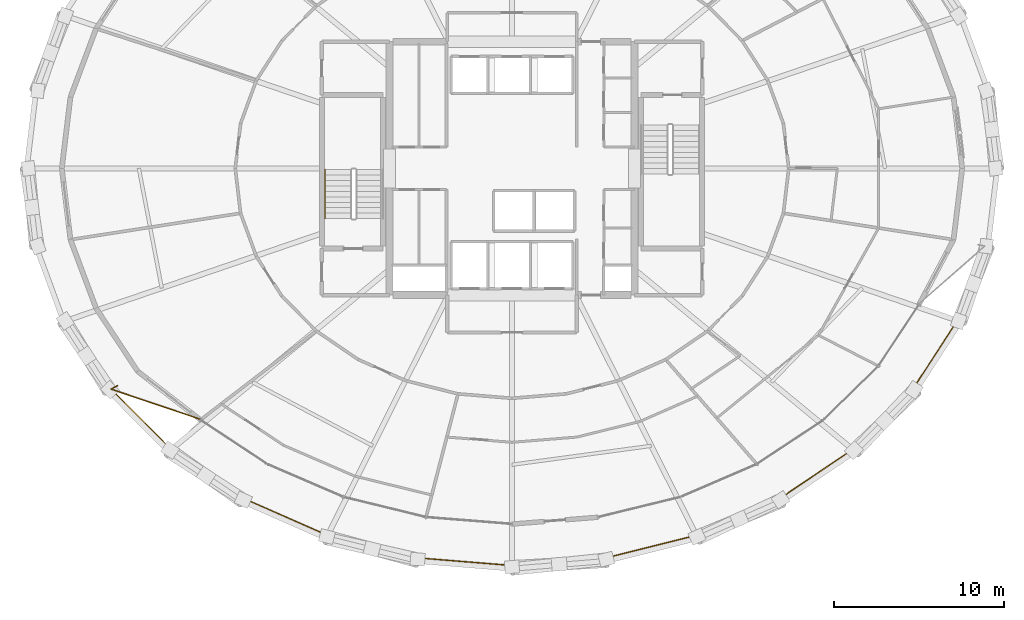
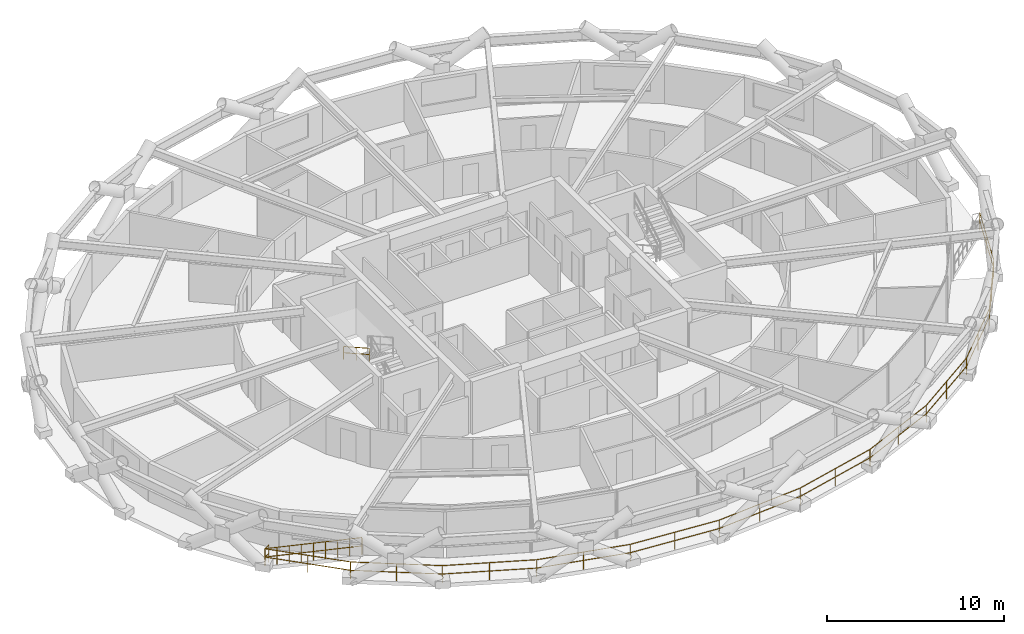
# One storey, part 18 of 19: 3 railings.
"""IFC4 building model written with IfcOpenShell, lengths in metres."""

import ifcopenshell
import ifcopenshell.guid

model = None  # the IFC model being written
_history = None  # IfcOwnerHistory: only IFC2X3 demands one
_inside = {}  # id of a spatial element -> (the spatial element, [elements in it])
_under = {}  # id of a project, library or spatial element -> (it, [spatial elements below it])
_declared = {}  # id of a project -> (the project, [libraries it declares])
_typed = {}  # id of a type object -> (the type object, [elements of that type])
_made_of = {}  # id of a material, layer set ... -> (it, [elements and type objects made of it])


def new_model(schema):
    """Start an empty IFC model of exactly this schema.

    Asked for "IFC4X3", IfcOpenShell would pick the latest addendum, in which some entities
    have other attributes; the version numbers below select the first issue.
    IFC2X3 requires an IfcOwnerHistory on every rooted entity: one is made here for all.
    """
    global model, _history
    if schema == "IFC4X3":
        model = ifcopenshell.file(schema_version=(4, 3, 0, 0))
    else:
        model = ifcopenshell.file(schema=schema)
    _inside.clear()
    _under.clear()
    _declared.clear()
    _typed.clear()
    _made_of.clear()
    _history = None
    if model.schema == "IFC2X3":
        org = make("IfcOrganization", Name="unknown")
        user = make(
            "IfcPersonAndOrganization",
            ThePerson=make("IfcPerson", FamilyName="unknown"),
            TheOrganization=org,
        )
        app = make(
            "IfcApplication",
            ApplicationDeveloper=org,
            Version="unknown",
            ApplicationFullName="unknown",
            ApplicationIdentifier="unknown",
        )
        _history = make(
            "IfcOwnerHistory",
            OwningUser=user,
            OwningApplication=app,
            ChangeAction="ADDED",
            CreationDate=0,
        )
    return model


def make(cls, **values):
    """One entity of the class cls with the attributes given. An attribute that is None is left unset."""
    return model.create_entity(
        cls, **{name: value for name, value in values.items() if value is not None}
    )


def rooted(cls, **values):
    """An entity with a GlobalId (a new one), such as an element, a storey or a relation."""
    return make(cls, GlobalId=ifcopenshell.guid.new(), OwnerHistory=_history, **values)


def si_unit(unit_type, name, prefix=None):
    """IfcSIUnit, for example si_unit("LENGTHUNIT", "METRE", prefix="MILLI")."""
    return make("IfcSIUnit", UnitType=unit_type, Prefix=prefix, Name=name)


def assignment(units):
    """IfcUnitAssignment: the units of a project."""
    return None if units is None else make("IfcUnitAssignment", Units=units)


def point(xyz):
    """IfcCartesianPoint."""
    return None if xyz is None else make("IfcCartesianPoint", Coordinates=xyz)


def direction(xyz):
    """IfcDirection."""
    return None if xyz is None else make("IfcDirection", DirectionRatios=xyz)


def frame(location, z_axis=None, x_axis=None):
    """IfcAxis2Placement3D, a coordinate frame: its origin and axes. An axis left out is left unset."""
    return make(
        "IfcAxis2Placement3D",
        Location=point(location),
        Axis=direction(z_axis),
        RefDirection=direction(x_axis),
    )


def frame_2d(location, x_axis=None):
    """IfcAxis2Placement2D, a coordinate frame in the plane: its origin and x axis."""
    return make(
        "IfcAxis2Placement2D", Location=point(location), RefDirection=direction(x_axis)
    )


def origin():
    """The frame at (0, 0, 0) with its axes left unset."""
    return frame((0.0, 0.0, 0.0))


def origin_2d():
    """The frame at (0, 0) in the plane with its x axis left unset."""
    return frame_2d((0.0, 0.0))


def place(relative_to, where):
    """IfcLocalPlacement: puts the frame where relative to a parent placement (None: the world)."""
    return make(
        "IfcLocalPlacement", PlacementRelTo=relative_to, RelativePlacement=where
    )


def context(
    kind, dimensions, precision=None, world=None, true_north=None, identifier=None
):
    """IfcGeometricRepresentationContext, for example the 3D "Model" context."""
    return make(
        "IfcGeometricRepresentationContext",
        ContextIdentifier=identifier,
        ContextType=kind,
        CoordinateSpaceDimension=dimensions,
        Precision=precision,
        WorldCoordinateSystem=world,
        TrueNorth=true_north,
    )


def subcontext(parent, identifier, kind, view, scale=None):
    """IfcGeometricRepresentationSubContext, for example "Body" below "Model"."""
    return make(
        "IfcGeometricRepresentationSubContext",
        ContextIdentifier=identifier,
        ContextType=kind,
        ParentContext=parent,
        TargetScale=scale,
        TargetView=view,
    )


def project(units=None, contexts=None):
    """IfcProject with its units and contexts."""
    return rooted(
        "IfcProject",
        Name="project",
        RepresentationContexts=contexts,
        UnitsInContext=assignment(units),
    )


def spatial(cls, under=None, at=None, **own):
    """A site, building, storey or space (cls), placed at a placement, below another one or the project."""
    s = rooted(cls, ObjectPlacement=at, **own)
    if under is not None:
        _under.setdefault(under.id(), (under, []))[1].append(s)
    return s


def profile(cls, at=None, kind="AREA", **sizes):
    """A parametric profile (cls). Its sizes go by their IFC names, for example OverallWidth=200.0."""
    return make(cls, ProfileType=kind, Position=at, **sizes)


def circle(**sizes):
    """IfcCircleProfileDef."""
    return profile("IfcCircleProfileDef", **sizes)


def extrude(swept, where, along, depth):
    """IfcExtrudedAreaSolid: the profile swept, set in the frame where, extruded along a direction by depth."""
    return make(
        "IfcExtrudedAreaSolid",
        SweptArea=swept,
        Position=where,
        ExtrudedDirection=direction(along),
        Depth=depth,
    )


def shape(context_of_items, identifier, shape_type, items):
    """IfcShapeRepresentation: the items that make up one representation, for example the "Body"."""
    return make(
        "IfcShapeRepresentation",
        ContextOfItems=context_of_items,
        RepresentationIdentifier=identifier,
        RepresentationType=shape_type,
        Items=items,
    )


def material(Name=None, Category=None):
    """IfcMaterial."""
    return make("IfcMaterial", Name=Name, Category=Category)


def made_of(thing, what):
    """Note that an element or type object is made of a material, layer set ...; save() writes the relation."""
    if what is not None:
        _made_of.setdefault(what.id(), (what, []))[1].append(thing)
    return thing


def type_object(cls, material=None, **own):
    """A type object (cls), such as IfcWallType, which elements share."""
    return made_of(rooted(cls, **own), material)


def element(
    cls,
    number,
    at=None,
    inside=None,
    cuts=None,
    type_object=None,
    material=None,
    context=None,
    identifier="Body",
    shape_type=None,
    held_by="IfcProductDefinitionShape",
    body=None,
    shapes=None,
    **own,
):
    """One element of the class cls, such as IfcWall. Its Tag is "e" and its number.

    at: its placement. inside: the storey or other place that contains it. cuts: it is an
    opening in that element (IfcRelVoidsElement). A single representation is given by context,
    identifier, shape_type and body (its items); several are given by shapes. held_by: the class
    of the entity that holds the representations. save() writes the other relations.
    """
    e = rooted(cls, Tag="e%d" % number, ObjectPlacement=at, **own)
    if body is not None:
        shapes = [shape(context, identifier, shape_type, body)]
    if shapes is not None:
        e.Representation = make(held_by, Representations=shapes)
    if inside is not None:
        _inside.setdefault(inside.id(), (inside, []))[1].append(e)
    if cuts is not None:
        rooted(
            "IfcRelVoidsElement", RelatingBuildingElement=cuts, RelatedOpeningElement=e
        )
    if type_object is not None:
        _typed.setdefault(type_object.id(), (type_object, []))[1].append(e)
    return made_of(e, material)


def aggregate(whole, parts):
    """IfcRelAggregates: a whole, such as a stair, and the parts it consists of."""
    return rooted("IfcRelAggregates", RelatingObject=whole, RelatedObjects=parts)


def save(model, path):
    """Write the relations noted so far, then the file.

    IfcRelAggregates (storeys below a building ...), IfcRelContainedInSpatialStructure (elements
    in a storey), IfcRelDefinesByType, IfcRelAssociatesMaterial and IfcRelDeclares: one each for
    every whole, place, type object, material and project.
    """
    for whole, parts in _under.values():
        aggregate(whole, parts)
    for where, things in _inside.values():
        rooted(
            "IfcRelContainedInSpatialStructure",
            RelatedElements=things,
            RelatingStructure=where,
        )
    for kind, things in _typed.values():
        rooted("IfcRelDefinesByType", RelatedObjects=things, RelatingType=kind)
    for what, things in _made_of.values():
        rooted("IfcRelAssociatesMaterial", RelatedObjects=things, RelatingMaterial=what)
    for by, libraries in _declared.values():
        rooted("IfcRelDeclares", RelatingContext=by, RelatedDefinitions=libraries)
    model.write(path)


model = new_model("IFC4")

# Units and contexts
model_context = context("Model", 3, precision=1e-05, world=origin(), true_north=direction((0.0, 1.0)))
body_context = subcontext(model_context, "Body", "Model", "MODEL_VIEW")
ifc_project = project(units=[si_unit("LENGTHUNIT", "METRE"), si_unit("AREAUNIT", "SQUARE_METRE"), si_unit("VOLUMEUNIT", "CUBIC_METRE"), si_unit("PLANEANGLEUNIT", "RADIAN"), si_unit("MASSUNIT", "GRAM", prefix="KILO")], contexts=[model_context])

# Site, building, storey
site_placement = place(None, origin())
site = spatial("IfcSite", under=ifc_project, at=site_placement, CompositionType="ELEMENT")
building_placement = place(site_placement, origin())
building = spatial("IfcBuilding", under=site, at=building_placement, Name="Veldorina Hangang Commons", CompositionType="ELEMENT")
storey_placement = place(building_placement, frame((0.0, 0.0, 52.0)))
storey = spatial("IfcBuildingStorey", under=building, at=storey_placement, Name="L12", CompositionType="ELEMENT", Elevation=52.0)

# Railings
ifc_material_1 = material(Name="Glass Laminated Safety Balustrade", Category="glass")
railing_type_1 = type_object("IfcRailingType", Name="RL-BAL-LOGGIA", PredefinedType="BALUSTRADE", material=ifc_material_1)
railing_1_placement = place(storey_placement, frame((8.794921875, 11.22119140625, 0.0)))
element("IfcRailing", 1, at=railing_1_placement, inside=storey, type_object=railing_type_1, Name="L12 sky-garden loggia end balustrade A", PredefinedType="BALUSTRADE", context=body_context, shape_type="SweptSolid", body=[
    extrude(circle(Radius=0.02392578125, at=origin_2d()), frame((0.0, 0.0, 1.17578125), z_axis=(-0.876179080009, -0.481985704928, 0.0), x_axis=(0.481985704928, -0.876179080009, 0.0)), (0.0, 0.0, 1.0), 0.419921875),
    extrude(circle(Radius=0.02392578125, at=origin_2d()), frame((0.0, 0.0, 0.60009765625), z_axis=(-0.876179080009, -0.481985704928, 0.0), x_axis=(0.481985704928, -0.876179080009, 0.0)), (0.0, 0.0, 1.0), 0.419921875),
    extrude(circle(Radius=0.02392578125, at=origin_2d()), frame((-0.367919921875, -0.202392578125, 1.17578125), z_axis=(0.947427211821, -0.319971371066, 0.0), x_axis=(0.319971371066, 0.947427211821, 0.0)), (0.0, 0.0, 1.0), 5.572265625),
    extrude(circle(Radius=0.02392578125, at=origin_2d()), frame((-0.367919921875, -0.202392578125, 0.60009765625), z_axis=(0.947427211821, -0.319971371066, 0.0), x_axis=(0.319971371066, 0.947427211821, 0.0)), (0.0, 0.0, 1.0), 5.572265625),
    extrude(circle(Radius=0.02099609375, at=origin_2d()), origin(), (0.0, 0.0, 1.0), 1.15185546875),
    extrude(circle(Radius=0.02099609375, at=origin_2d()), frame((-0.367919921875, -0.202392578125, 0.0)), (0.0, 0.0, 1.0), 1.15185546875),
    extrude(circle(Radius=0.02099609375, at=origin_2d()), frame((0.2919921875, -0.42529296875, 0.0)), (0.0, 0.0, 1.0), 1.15185546875),
    extrude(circle(Radius=0.02099609375, at=origin_2d()), frame((0.951904296875, -0.648193359375, 0.0)), (0.0, 0.0, 1.0), 1.15185546875),
    extrude(circle(Radius=0.02099609375, at=origin_2d()), frame((1.61181640625, -0.87109375, 0.0)), (0.0, 0.0, 1.0), 1.15185546875),
    extrude(circle(Radius=0.02099609375, at=origin_2d()), frame((2.271728515625, -1.09375, 0.0)), (0.0, 0.0, 1.0), 1.15185546875),
    extrude(circle(Radius=0.02099609375, at=origin_2d()), frame((2.931640625, -1.316650390625, 0.0)), (0.0, 0.0, 1.0), 1.15185546875),
    extrude(circle(Radius=0.02099609375, at=origin_2d()), frame((3.591552734375, -1.53955078125, 0.0)), (0.0, 0.0, 1.0), 1.15185546875),
    extrude(circle(Radius=0.02099609375, at=origin_2d()), frame((4.25146484375, -1.762451171875, 0.0)), (0.0, 0.0, 1.0), 1.15185546875),
    extrude(circle(Radius=0.02099609375, at=origin_2d()), frame((4.911376953125, -1.9853515625, 0.0)), (0.0, 0.0, 1.0), 1.15185546875),
])
railing_2_placement = place(storey_placement, frame((8.427001953125, 11.018798828125, 0.0)))
element("IfcRailing", 2, at=railing_2_placement, inside=storey, type_object=railing_type_1, Name="L12 sky-garden loggia outer balustrade", PredefinedType="BALUSTRADE", context=body_context, shape_type="SweptSolid", body=[
    extrude(circle(Radius=0.02392578125, at=origin_2d()), frame((0.0, 0.0, 1.17578125), z_axis=(0.70600668447, -0.70820516906, 0.0), x_axis=(0.70820516906, 0.70600668447, 0.0)), (0.0, 0.0, 1.0), 4.997314453125),
    extrude(circle(Radius=0.02392578125, at=origin_2d()), frame((0.0, 0.0, 0.60009765625), z_axis=(0.70600668447, -0.70820516906, 0.0), x_axis=(0.70820516906, 0.70600668447, 0.0)), (0.0, 0.0, 1.0), 4.997314453125),
    extrude(circle(Radius=0.02392578125, at=origin_2d()), frame((3.528076171875, -3.5390625, 1.17578125), z_axis=(0.828630869612, -0.559795392912, 0.0), x_axis=(0.559795392912, 0.828630869612, 0.0)), (0.0, 0.0, 1.0), 5.186279296875),
    extrude(circle(Radius=0.02392578125, at=origin_2d()), frame((3.528076171875, -3.5390625, 0.60009765625), z_axis=(0.828630869612, -0.559795392912, 0.0), x_axis=(0.559795392912, 0.828630869612, 0.0)), (0.0, 0.0, 1.0), 5.186279296875),
    extrude(circle(Radius=0.02392578125, at=origin_2d()), frame((7.82568359375, -6.4423828125, 1.17578125), z_axis=(0.91534662607, -0.402666802881, 0.0), x_axis=(0.402666802881, 0.91534662607, 0.0)), (0.0, 0.0, 1.0), 5.35498046875),
    extrude(circle(Radius=0.02392578125, at=origin_2d()), frame((7.82568359375, -6.4423828125, 0.60009765625), z_axis=(0.91534662607, -0.402666802881, 0.0), x_axis=(0.402666802881, 0.91534662607, 0.0)), (0.0, 0.0, 1.0), 5.35498046875),
    extrude(circle(Radius=0.02392578125, at=origin_2d()), frame((12.727294921875, -8.5986328125, 1.17578125), z_axis=(0.970234149445, -0.242168733017, 0.0), x_axis=(0.242168733017, 0.970234149445, 0.0)), (0.0, 0.0, 1.0), 5.480224609375),
    extrude(circle(Radius=0.02392578125, at=origin_2d()), frame((12.727294921875, -8.5986328125, 0.60009765625), z_axis=(0.970234149445, -0.242168733017, 0.0), x_axis=(0.242168733017, 0.970234149445, 0.0)), (0.0, 0.0, 1.0), 5.480224609375),
    extrude(circle(Radius=0.02392578125, at=origin_2d()), frame((18.04443359375, -9.92578125, 1.17578125), z_axis=(0.996729335582, -0.080812323256, 0.0), x_axis=(0.080812323256, 0.996729335582, 0.0)), (0.0, 0.0, 1.0), 5.546630859375),
    extrude(circle(Radius=0.02392578125, at=origin_2d()), frame((18.04443359375, -9.92578125, 0.60009765625), z_axis=(0.996729335582, -0.080812323256, 0.0), x_axis=(0.080812323256, 0.996729335582, 0.0)), (0.0, 0.0, 1.0), 5.546630859375),
    extrude(circle(Radius=0.02392578125, at=origin_2d()), frame((23.572998046875, -10.3740234375, 1.17578125), z_axis=(0.996729335582, 0.080812323256, 0.0), x_axis=(-0.080812323256, 0.996729335582, 0.0)), (0.0, 0.0, 1.0), 5.546630859375),
    extrude(circle(Radius=0.02392578125, at=origin_2d()), frame((23.572998046875, -10.3740234375, 0.60009765625), z_axis=(0.996729335582, 0.080812323256, 0.0), x_axis=(-0.080812323256, 0.996729335582, 0.0)), (0.0, 0.0, 1.0), 5.546630859375),
    extrude(circle(Radius=0.02392578125, at=origin_2d()), frame((29.1015625, -9.92578125, 1.17578125), z_axis=(0.970234149445, 0.242168733017, 0.0), x_axis=(-0.242168733017, 0.970234149445, 0.0)), (0.0, 0.0, 1.0), 5.480224609375),
    extrude(circle(Radius=0.02392578125, at=origin_2d()), frame((29.1015625, -9.92578125, 0.60009765625), z_axis=(0.970234149445, 0.242168733017, 0.0), x_axis=(-0.242168733017, 0.970234149445, 0.0)), (0.0, 0.0, 1.0), 5.480224609375),
    extrude(circle(Radius=0.02392578125, at=origin_2d()), frame((34.418701171875, -8.5986328125, 1.17578125), z_axis=(0.91534662607, 0.402666802881, 0.0), x_axis=(-0.402666802881, 0.91534662607, 0.0)), (0.0, 0.0, 1.0), 5.35498046875),
    extrude(circle(Radius=0.02392578125, at=origin_2d()), frame((34.418701171875, -8.5986328125, 0.60009765625), z_axis=(0.91534662607, 0.402666802881, 0.0), x_axis=(-0.402666802881, 0.91534662607, 0.0)), (0.0, 0.0, 1.0), 5.35498046875),
    extrude(circle(Radius=0.02392578125, at=origin_2d()), frame((39.3203125, -6.4423828125, 1.17578125), z_axis=(0.828630869612, 0.559795392912, 0.0), x_axis=(-0.559795392912, 0.828630869612, 0.0)), (0.0, 0.0, 1.0), 5.186279296875),
    extrude(circle(Radius=0.02392578125, at=origin_2d()), frame((39.3203125, -6.4423828125, 0.60009765625), z_axis=(0.828630869612, 0.559795392912, 0.0), x_axis=(-0.559795392912, 0.828630869612, 0.0)), (0.0, 0.0, 1.0), 5.186279296875),
    extrude(circle(Radius=0.02392578125, at=origin_2d()), frame((43.617919921875, -3.5390625, 1.17578125), z_axis=(0.70600668447, 0.70820516906, 0.0), x_axis=(-0.70820516906, 0.70600668447, 0.0)), (0.0, 0.0, 1.0), 4.997314453125),
    extrude(circle(Radius=0.02392578125, at=origin_2d()), frame((43.617919921875, -3.5390625, 0.60009765625), z_axis=(0.70600668447, 0.70820516906, 0.0), x_axis=(-0.70820516906, 0.70600668447, 0.0)), (0.0, 0.0, 1.0), 4.997314453125),
    extrude(circle(Radius=0.02392578125, at=origin_2d()), frame((47.14599609375, 0.0, 1.17578125), z_axis=(0.54452670352, 0.838743506177, 0.0), x_axis=(-0.838743506177, 0.54452670352, 0.0)), (0.0, 0.0, 1.0), 4.8154296875),
    extrude(circle(Radius=0.02392578125, at=origin_2d()), frame((47.14599609375, 0.0, 0.60009765625), z_axis=(0.54452670352, 0.838743506177, 0.0), x_axis=(-0.838743506177, 0.54452670352, 0.0)), (0.0, 0.0, 1.0), 4.8154296875),
    extrude(circle(Radius=0.02392578125, at=origin_2d()), frame((49.76806640625, 4.038818359375, 1.17578125), z_axis=(0.345676294594, 0.938353824181, 0.0), x_axis=(-0.938353824181, 0.345676294594, 0.0)), (0.0, 0.0, 1.0), 4.67138671875),
    extrude(circle(Radius=0.02392578125, at=origin_2d()), frame((49.76806640625, 4.038818359375, 0.60009765625), z_axis=(0.345676294594, 0.938353824181, 0.0), x_axis=(-0.938353824181, 0.345676294594, 0.0)), (0.0, 0.0, 1.0), 4.67138671875),
    extrude(circle(Radius=0.02099609375, at=origin_2d()), origin(), (0.0, 0.0, 1.0), 1.15185546875),
    extrude(circle(Radius=0.02099609375, at=origin_2d()), frame((1.76416015625, -1.76953125, 0.0)), (0.0, 0.0, 1.0), 1.15185546875),
    extrude(circle(Radius=0.02099609375, at=origin_2d()), frame((3.528076171875, -3.5390625, 0.0)), (0.0, 0.0, 1.0), 1.15185546875),
    extrude(circle(Radius=0.02099609375, at=origin_2d()), frame((5.6767578125, -4.99072265625, 0.0)), (0.0, 0.0, 1.0), 1.15185546875),
    extrude(circle(Radius=0.02099609375, at=origin_2d()), frame((7.82568359375, -6.4423828125, 0.0)), (0.0, 0.0, 1.0), 1.15185546875),
    extrude(circle(Radius=0.02099609375, at=origin_2d()), frame((10.2763671875, -7.5205078125, 0.0)), (0.0, 0.0, 1.0), 1.15185546875),
    extrude(circle(Radius=0.02099609375, at=origin_2d()), frame((12.727294921875, -8.5986328125, 0.0)), (0.0, 0.0, 1.0), 1.15185546875),
    extrude(circle(Radius=0.02099609375, at=origin_2d()), frame((15.3857421875, -9.26220703125, 0.0)), (0.0, 0.0, 1.0), 1.15185546875),
    extrude(circle(Radius=0.02099609375, at=origin_2d()), frame((18.04443359375, -9.92578125, 0.0)), (0.0, 0.0, 1.0), 1.15185546875),
    extrude(circle(Radius=0.02099609375, at=origin_2d()), frame((20.80859375, -10.14990234375, 0.0)), (0.0, 0.0, 1.0), 1.15185546875),
    extrude(circle(Radius=0.02099609375, at=origin_2d()), frame((23.572998046875, -10.3740234375, 0.0)), (0.0, 0.0, 1.0), 1.15185546875),
    extrude(circle(Radius=0.02099609375, at=origin_2d()), frame((26.33740234375, -10.14990234375, 0.0)), (0.0, 0.0, 1.0), 1.15185546875),
    extrude(circle(Radius=0.02099609375, at=origin_2d()), frame((29.1015625, -9.92578125, 0.0)), (0.0, 0.0, 1.0), 1.15185546875),
    extrude(circle(Radius=0.02099609375, at=origin_2d()), frame((31.76025390625, -9.26220703125, 0.0)), (0.0, 0.0, 1.0), 1.15185546875),
    extrude(circle(Radius=0.02099609375, at=origin_2d()), frame((34.418701171875, -8.5986328125, 0.0)), (0.0, 0.0, 1.0), 1.15185546875),
    extrude(circle(Radius=0.02099609375, at=origin_2d()), frame((36.86962890625, -7.5205078125, 0.0)), (0.0, 0.0, 1.0), 1.15185546875),
    extrude(circle(Radius=0.02099609375, at=origin_2d()), frame((39.3203125, -6.4423828125, 0.0)), (0.0, 0.0, 1.0), 1.15185546875),
    extrude(circle(Radius=0.02099609375, at=origin_2d()), frame((41.46923828125, -4.99072265625, 0.0)), (0.0, 0.0, 1.0), 1.15185546875),
    extrude(circle(Radius=0.02099609375, at=origin_2d()), frame((43.617919921875, -3.5390625, 0.0)), (0.0, 0.0, 1.0), 1.15185546875),
    extrude(circle(Radius=0.02099609375, at=origin_2d()), frame((45.3818359375, -1.76953125, 0.0)), (0.0, 0.0, 1.0), 1.15185546875),
    extrude(circle(Radius=0.02099609375, at=origin_2d()), frame((47.14599609375, 0.0, 0.0)), (0.0, 0.0, 1.0), 1.15185546875),
    extrude(circle(Radius=0.02099609375, at=origin_2d()), frame((48.45703125, 2.01953125, 0.0)), (0.0, 0.0, 1.0), 1.15185546875),
    extrude(circle(Radius=0.02099609375, at=origin_2d()), frame((49.76806640625, 4.038818359375, 0.0)), (0.0, 0.0, 1.0), 1.15185546875),
    extrude(circle(Radius=0.02099609375, at=origin_2d()), frame((50.575439453125, 6.23046875, 0.0)), (0.0, 0.0, 1.0), 1.15185546875),
    extrude(circle(Radius=0.02099609375, at=origin_2d()), frame((51.3828125, 8.422119140625, 0.0)), (0.0, 0.0, 1.0), 1.15185546875),
])
ifc_material_2 = material(Name="Stainless Steel Brushed 316", Category="steel")
railing_type_2 = type_object("IfcRailingType", Name="RL-HND-STAIR", PredefinedType="HANDRAIL", material=ifc_material_2)
railing_3_placement = place(storey_placement, frame((21.0, 23.929931640625, 1.97998046875)))
element("IfcRailing", 3, at=railing_3_placement, inside=storey, type_object=railing_type_2, Name="L12 ST-1 stair handrail 2", PredefinedType="HANDRAIL", context=body_context, shape_type="SweptSolid", body=[
    extrude(circle(Radius=0.02392578125, at=origin_2d()), frame((0.0, 0.0, 0.8759765625), z_axis=(0.0, -0.87155185771, 0.490303333991), x_axis=(1.0, 0.0, 0.0)), (0.0, 0.0, 1.0), 3.30419921875),
    extrude(circle(Radius=0.02392578125, at=origin_2d()), frame((0.0, 0.0, 0.449951171875), z_axis=(0.0, -0.87155185771, 0.490303333991), x_axis=(1.0, 0.0, 0.0)), (0.0, 0.0, 1.0), 3.30419921875),
    extrude(circle(Radius=0.02099609375, at=origin_2d()), origin(), (0.0, 0.0, 1.0), 0.851806640625),
    extrude(circle(Radius=0.02099609375, at=origin_2d()), frame((0.0, -1.43994140625, 0.81005859375)), (0.0, 0.0, 1.0), 0.851806640625),
    extrude(circle(Radius=0.02099609375, at=origin_2d()), frame((0.0, -2.8798828125, 1.6201171875)), (0.0, 0.0, 1.0), 0.851806640625),
])

save(model, "model.ifc")
